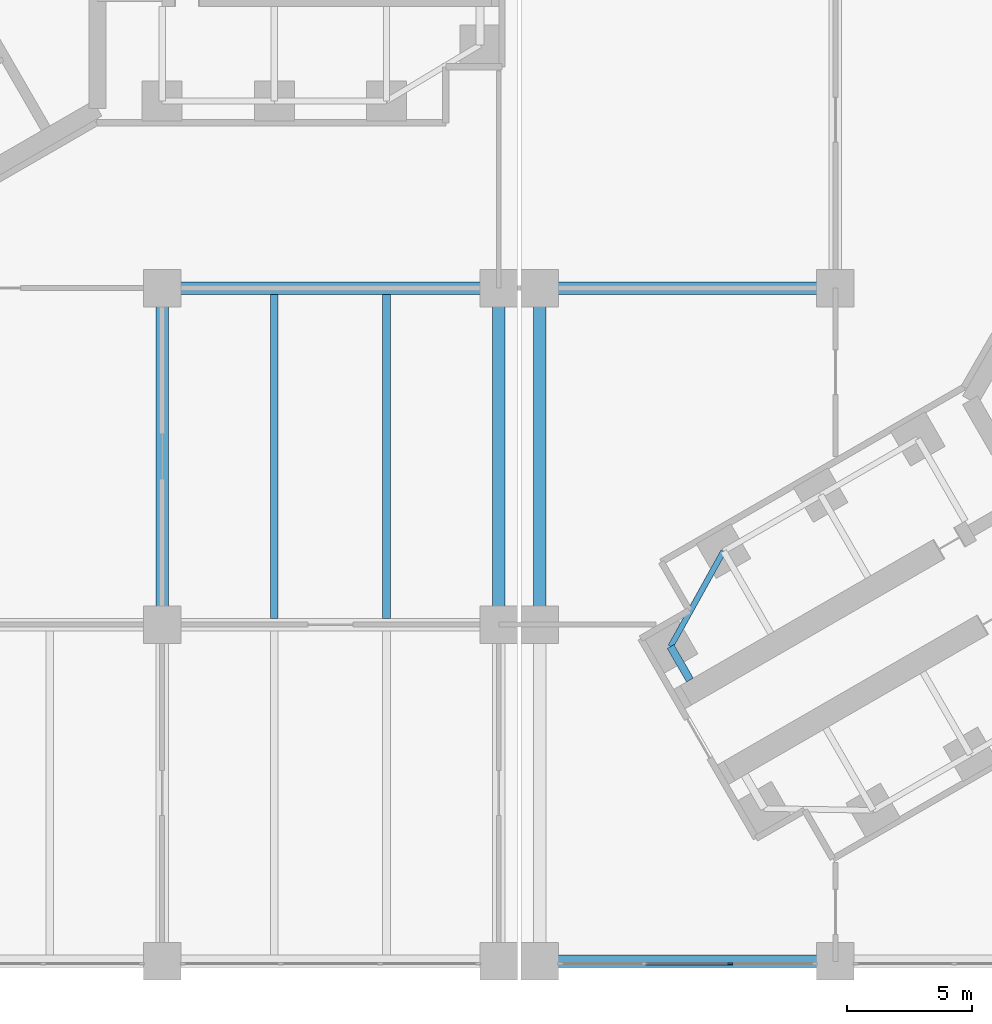
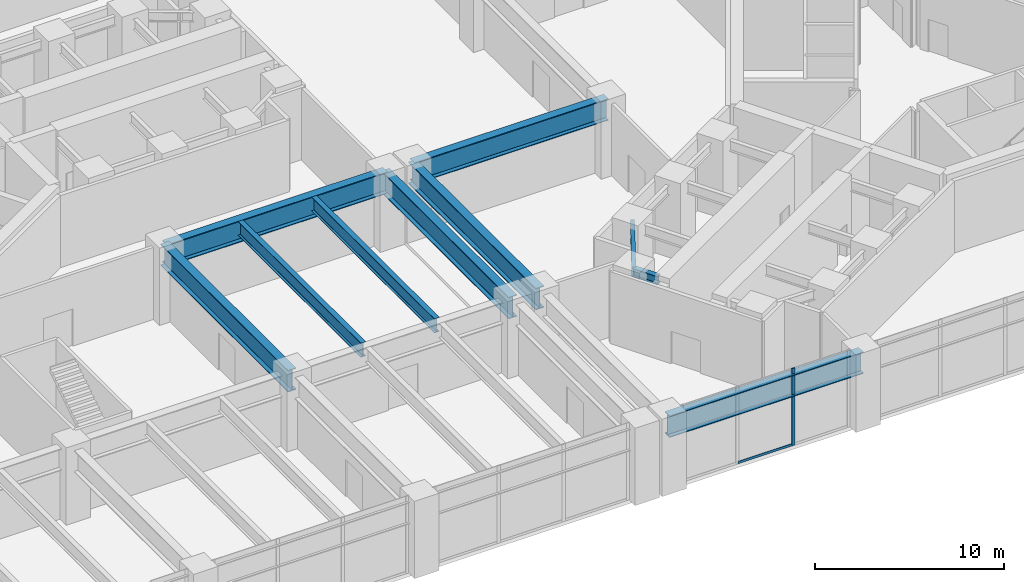
# One storey, part 5 of 32: 10 beams, 2 members, 1 element without a shape of its own.
"""IFC4 building model written with IfcOpenShell, lengths in metres."""

from ifc_helpers import new_model, si_unit, direction, frame, origin, origin_2d, place, context, subcontext, project, spatial, rectangle, i_section, extrude, material, material_profile, profile_set, type_object, element, aggregate, save


model = new_model("IFC4")

# Units and contexts
model_context = context("Model", 3, precision=1e-05, world=origin(), true_north=direction((0.0, 1.0)))
body_context = subcontext(model_context, "Body", "Model", "MODEL_VIEW")
ifc_project = project(units=[si_unit("LENGTHUNIT", "METRE"), si_unit("AREAUNIT", "SQUARE_METRE"), si_unit("VOLUMEUNIT", "CUBIC_METRE"), si_unit("PLANEANGLEUNIT", "RADIAN"), si_unit("MASSUNIT", "GRAM", prefix="KILO")], contexts=[model_context])

# Site, building, storey
site_placement = place(None, origin())
site = spatial("IfcSite", under=ifc_project, at=site_placement, CompositionType="ELEMENT")
building_placement = place(site_placement, origin())
building = spatial("IfcBuilding", under=site, at=building_placement, Name="Upepo Twin Towers", CompositionType="ELEMENT")
storey_placement = place(building_placement, frame((0.0, 0.0, 5.5)))
storey = spatial("IfcBuildingStorey", under=building, at=storey_placement, Name="L01", CompositionType="ELEMENT", Elevation=5.5)

# Beams
ifc_material_1 = material(Name="Steel S355", Category="steel")
ifc_material_profile_1 = material_profile(ifc_material_1, i_section(OverallWidth=0.5, OverallDepth=1.39990234375, WebThickness=0.02490234375, FlangeThickness=0.050048828125, FilletRadius=0.008056640625, at=origin_2d()), Name="PG 1400x500x25x50")
ifc_profile_set_1 = profile_set([ifc_material_profile_1], Name="Steel S355")
beam_type_1 = type_object("IfcBeamType", Name="Beam PG 1400x500x25x50", PredefinedType="BEAM", material=ifc_profile_set_1)
beam_1_placement = place(storey_placement, frame((28.64990234375, -40.5, 3.949951171875), z_axis=(1.0, 0.0, 0.0), x_axis=(0.0, 1.0, 0.0)))
element("IfcBeam", 1, at=beam_1_placement, inside=storey, type_object=beam_type_1, Name="Podium girder A/5a-6", PredefinedType="BEAM", context=body_context, shape_type="SweptSolid", body=[
    extrude(i_section(OverallWidth=0.5, OverallDepth=1.39990234375, WebThickness=0.02490234375, FlangeThickness=0.050048828125, FilletRadius=0.008056640625, at=origin_2d()), origin(), (0.0, 0.0, 1.0), 11.85009765625),
])
beam_2_placement = place(storey_placement, frame((13.5, -13.5, 3.949951171875), z_axis=(1.0, 0.0, 0.0), x_axis=(0.0, 1.0, 0.0)))
element("IfcBeam", 2, at=beam_2_placement, inside=storey, type_object=beam_type_1, Name="Podium girder C/4-5", PredefinedType="BEAM", context=body_context, shape_type="SweptSolid", body=[
    extrude(i_section(OverallWidth=0.5, OverallDepth=1.39990234375, WebThickness=0.02490234375, FlangeThickness=0.050048828125, FilletRadius=0.008056640625, at=origin_2d()), origin(), (0.0, 0.0, 1.0), 13.5),
])
beam_3_placement = place(storey_placement, frame((28.64990234375, -13.5, 3.949951171875), z_axis=(1.0, 0.0, 0.0), x_axis=(0.0, 1.0, 0.0)))
element("IfcBeam", 3, at=beam_3_placement, inside=storey, type_object=beam_type_1, Name="Podium girder C/5a-6", PredefinedType="BEAM", context=body_context, shape_type="SweptSolid", body=[
    extrude(i_section(OverallWidth=0.5, OverallDepth=1.39990234375, WebThickness=0.02490234375, FlangeThickness=0.050048828125, FilletRadius=0.008056640625, at=origin_2d()), origin(), (0.0, 0.0, 1.0), 11.85009765625),
])
for number, where, z_axis, x_axis, name in (
    (4, (13.5, -27.0, 3.949951171875), (0.0, 1.0, 0.0), (-1.0, 0.0, 0.0), "Podium girder 4/B-C"),
    (5, (27.0, -27.0, 3.949951171875), (0.0, 1.0, 0.0), (-1.0, 0.0, 0.0), "Podium girder 5/B-C"),
    (6, (28.64990234375, -27.0, 3.949951171875), (0.0, 1.0, 0.0), (-1.0, 0.0, 0.0), "Podium girder 5a/B-C"),
):
    element("IfcBeam", number, at=place(storey_placement, frame(where, z_axis=z_axis, x_axis=x_axis)), inside=storey, type_object=beam_type_1, Name=name, PredefinedType="BEAM", context=body_context, shape_type="SweptSolid", body=[
        extrude(i_section(OverallWidth=0.5, OverallDepth=1.39990234375, WebThickness=0.02490234375, FlangeThickness=0.050048828125, FilletRadius=0.008056640625, at=origin_2d()), origin(), (0.0, 0.0, 1.0), 13.5),
    ])
ifc_material_2 = material(Name="Steel S355", Category="steel")
ifc_material_profile_2 = material_profile(ifc_material_2, i_section(OverallWidth=0.31201171875, OverallDepth=0.54345703125, WebThickness=0.0126953125, FlangeThickness=0.020263671875, FilletRadius=0.0126953125, at=origin_2d()), Name="UB 533x312x150")
ifc_profile_set_2 = profile_set([ifc_material_profile_2], Name="Steel S355")
beam_type_2 = type_object("IfcBeamType", Name="Beam UB 533x312x150", PredefinedType="BEAM", material=ifc_profile_set_2)
beam_4_placement = place(storey_placement, frame((33.891845703125, -27.87744140625, 4.378173828125), z_axis=(0.499967891604, -0.866043940782, 0.0), x_axis=(0.866043940782, 0.499967891604, 0.0)))
element("IfcBeam", 7, at=beam_4_placement, inside=storey, type_object=beam_type_2, Name="T2 nose beam BR", PredefinedType="BEAM", context=body_context, shape_type="SweptSolid", body=[
    extrude(i_section(OverallWidth=0.31201171875, OverallDepth=0.54345703125, WebThickness=0.0126953125, FlangeThickness=0.020263671875, FilletRadius=0.0126953125, at=origin_2d()), origin(), (0.0, 0.0, 1.0), 1.5498046875),
])
ifc_material_3 = material(Name="Steel S355", Category="steel")
ifc_material_profile_3 = material_profile(ifc_material_3, i_section(OverallWidth=0.228271484375, OverallDepth=0.607666015625, WebThickness=0.010986328125, FlangeThickness=0.017333984375, FilletRadius=0.0126953125, at=origin_2d()), Name="UB 610x229x113")
ifc_profile_set_3 = profile_set([ifc_material_profile_3], Name="Steel S355")
beam_type_3 = type_object("IfcBeamType", Name="Beam UB 610x229x113", PredefinedType="BEAM", material=ifc_profile_set_3)
beam_5_placement = place(storey_placement, frame((36.014404296875, -24.053955078125, 4.34619140625), z_axis=(-0.485363242752, -0.874312600038, 0.0), x_axis=(0.874312600038, -0.485363242752, 0.0)))
element("IfcBeam", 8, at=beam_5_placement, inside=storey, type_object=beam_type_3, Name="T2 nose edge beam BR", PredefinedType="BEAM", context=body_context, shape_type="SweptSolid", body=[
    extrude(i_section(OverallWidth=0.228271484375, OverallDepth=0.607666015625, WebThickness=0.010986328125, FlangeThickness=0.017333984375, FilletRadius=0.0126953125, at=origin_2d()), origin(), (0.0, 0.0, 1.0), 4.373046875),
])

# Curtain wall, member
ifc_material_4 = material(Name="Aluminium and clear glass", Category="aluminium")
curtain_wall_type = type_object("IfcCurtainWallType", Name="Podium curtain wall PW1", PredefinedType="NOTDEFINED", material=ifc_material_4)
curtain_wall_placement = place(storey_placement, origin())
curtain_wall = element("IfcCurtainWall", 9, at=curtain_wall_placement, inside=storey, type_object=curtain_wall_type, Name="Podium L01 curtain wall S5", PredefinedType="NOTDEFINED")
ifc_material_5 = material(Name="Aluminium mullion", Category="aluminium")
ifc_material_profile_4 = material_profile(ifc_material_5, rectangle(XDim=0.06494140625, YDim=0.199951171875, at=origin_2d()), Name="MULLION 65x200 PODIUM")
ifc_profile_set_4 = profile_set([ifc_material_profile_4], Name="Aluminium mullion")
member_type_1 = type_object("IfcMemberType", Name="Mullion 65x200 PW1", PredefinedType="MULLION", material=ifc_profile_set_4)
member_1_placement = place(storey_placement, frame((36.288330078125, -40.60009765625, 0.0), z_axis=(0.0, 0.0, 1.0), x_axis=(0.0, 1.0, 0.0)))
member_1 = element("IfcMember", 10, at=member_1_placement, type_object=member_type_1, Name="Podium L01 curtain wall S5 mullion 3", PredefinedType="MULLION", context=body_context, shape_type="SweptSolid", body=[
    extrude(rectangle(XDim=0.06494140625, YDim=0.199951171875, at=origin_2d()), origin(), (0.0, 0.0, 1.0), 5.0),
])

# Beams
ifc_material_6 = material(Name="Steel S355", Category="steel")
ifc_material_profile_5 = material_profile(ifc_material_6, i_section(OverallWidth=0.305419921875, OverallDepth=0.91845703125, WebThickness=0.017333984375, FlangeThickness=0.02783203125, FilletRadius=0.01904296875, at=origin_2d()), Name="UB 914x305x253")
ifc_profile_set_5 = profile_set([ifc_material_profile_5], Name="Steel S355")
beam_type_4 = type_object("IfcBeamType", Name="Secondary beam UB 914x305x253", PredefinedType="JOIST", material=ifc_profile_set_5)
for number, where, z_axis, x_axis, name in (
    (11, (18.0, -26.75, 4.19091796875), (0.0, 1.0, 0.0), (-1.0, 0.0, 0.0), "Podium secondary beam B4.1"),
    (12, (22.5, -26.75, 4.19091796875), (0.0, 1.0, 0.0), (-1.0, 0.0, 0.0), "Podium secondary beam B4.2"),
):
    element("IfcBeam", number, at=place(storey_placement, frame(where, z_axis=z_axis, x_axis=x_axis)), inside=storey, type_object=beam_type_4, Name=name, PredefinedType="JOIST", context=body_context, shape_type="SweptSolid", body=[
        extrude(i_section(OverallWidth=0.305419921875, OverallDepth=0.91845703125, WebThickness=0.017333984375, FlangeThickness=0.02783203125, FilletRadius=0.01904296875, at=origin_2d()), origin(), (0.0, 0.0, 1.0), 13.0),
    ])

# Member
ifc_material_7 = material(Name="Aluminium transom", Category="aluminium")
ifc_material_profile_6 = material_profile(ifc_material_7, rectangle(XDim=0.06494140625, YDim=0.14990234375, at=origin_2d()), Name="TRANSOM 65x150 PODIUM")
ifc_profile_set_6 = profile_set([ifc_material_profile_6], Name="Aluminium transom")
member_type_2 = type_object("IfcMemberType", Name="Transom 65x150 PW1", PredefinedType="USERDEFINED", material=ifc_profile_set_6)
member_2_placement = place(storey_placement, frame((32.894287109375, -40.60009765625, 0.074951171875), z_axis=(1.0, 0.0, 0.0), x_axis=(0.0, 1.0, 0.0)))
member_2 = element("IfcMember", 13, at=member_2_placement, type_object=member_type_2, Name="Podium L01 curtain wall S5 transom 2", ObjectType="TRANSOM", PredefinedType="USERDEFINED", context=body_context, shape_type="SweptSolid", body=[
    extrude(rectangle(XDim=0.06494140625, YDim=0.14990234375, at=origin_2d()), origin(), (0.0, 0.0, 1.0), 3.361572265625),
])

aggregate(curtain_wall, [member_1, member_2])

save(model, "model.ifc")
